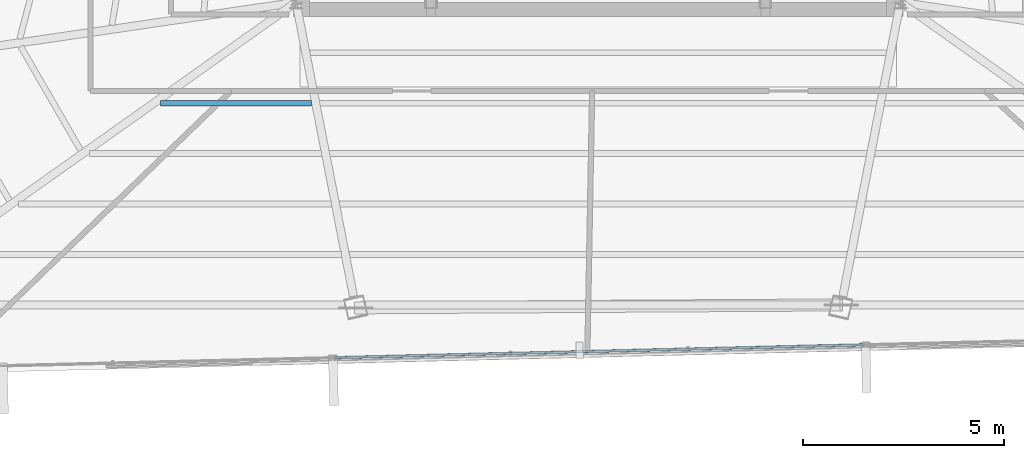
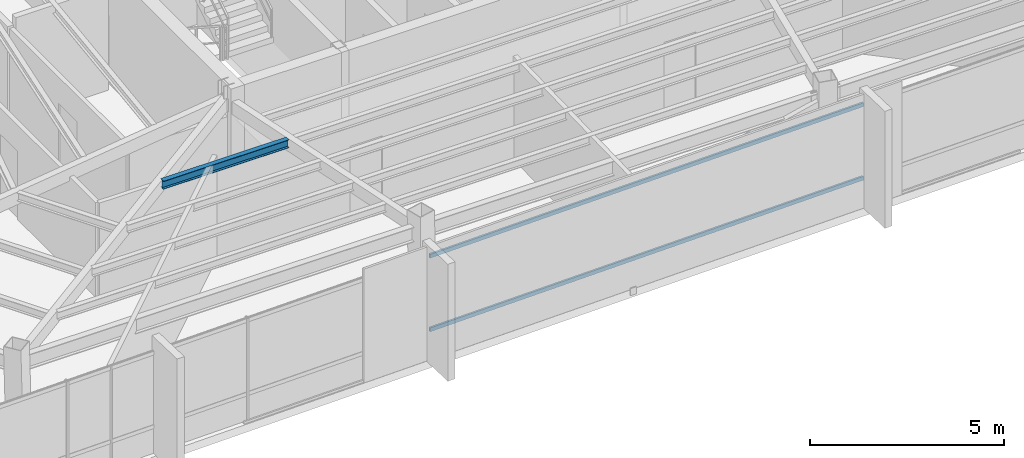
# One storey, part 12 of 44: 2 members, 1 beam, 1 element without a shape of its own.
"""IFC4 building model written with IfcOpenShell, lengths in metres."""

from ifc_helpers import new_model, si_unit, direction, frame, origin, origin_2d, place, context, subcontext, project, spatial, hollow_rectangle, i_section, extrude, source, transform, mapped, material, material_profile, profile_set, type_object, type_shapes, element, aggregate, save


model = new_model("IFC4")

# Units and contexts
model_context = context("Model", 3, precision=1e-05, world=origin(), true_north=direction((0.0, 1.0)))
body_context = subcontext(model_context, "Body", "Model", "MODEL_VIEW")
ifc_project = project(units=[si_unit("LENGTHUNIT", "METRE"), si_unit("AREAUNIT", "SQUARE_METRE"), si_unit("VOLUMEUNIT", "CUBIC_METRE"), si_unit("PLANEANGLEUNIT", "RADIAN"), si_unit("MASSUNIT", "GRAM", prefix="KILO")], contexts=[model_context])

# Site, building, storey
site_placement = place(None, origin())
site = spatial("IfcSite", under=ifc_project, at=site_placement, CompositionType="ELEMENT")
building_placement = place(site_placement, origin())
building = spatial("IfcBuilding", under=site, at=building_placement, Name="Caelisora Broadcast Tower", CompositionType="ELEMENT")
storey_placement = place(building_placement, frame((0.0, 0.0, 280.949951171875)))
storey = spatial("IfcBuildingStorey", under=building, at=storey_placement, Name="L74", CompositionType="ELEMENT", Elevation=280.949951171875)

# Beam
ifc_material_1 = material(Name="Steel Grade 350 (AS/NZS 3679.1)", Category="steel")
ifc_material_profile_1 = material_profile(ifc_material_1, i_section(OverallWidth=0.14599609375, OverallDepth=0.256103515625, WebThickness=0.00634765625, FlangeThickness=0.010986328125, at=origin_2d()), Name="Steel Grade 350 (AS/NZS 3679.1)")
ifc_profile_set_1 = profile_set([ifc_material_profile_1], Name="Steel Grade 350 (AS/NZS 3679.1)")
beam_type = type_object("IfcBeamType", Name="SB04", PredefinedType="JOIST", material=ifc_profile_set_1)
shared_shape_1 = source(origin(), body_context, "Body", "SweptSolid", [
    extrude(i_section(OverallWidth=0.14599609375, OverallDepth=0.256103515625, WebThickness=0.00634765625, FlangeThickness=0.010986328125, at=origin_2d()), origin(), (0.0, 0.0, 1.0), 3.751953125),
])
type_shapes(beam_type, [shared_shape_1])
beam_placement = place(storey_placement, frame((27.138671875, 14.896728515625, 3.1220703125), z_axis=(1.0, 0.0, 0.0), x_axis=(0.0, 1.0, 0.0)))
element("IfcBeam", 1, at=beam_placement, inside=storey, type_object=beam_type, Name="L74 beam SB04", PredefinedType="JOIST", context=body_context, shape_type="MappedRepresentation", body=[
    mapped(shared_shape_1, transform((0.0, 0.0, 0.0), scale=1.0)),
])

# Curtain wall, members
ifc_material_2 = material(Name="Unitised Aluminium Insulated Shadow-Box Spandrel Curtain Wall", Category="aluminium")
curtain_wall_type = type_object("IfcCurtainWallType", Name="CW-SP3", PredefinedType="NOTDEFINED", material=ifc_material_2)
curtain_wall_placement = place(storey_placement, origin())
curtain_wall = element("IfcCurtainWall", 2, at=curtain_wall_placement, inside=storey, type_object=curtain_wall_type, Name="L74 curtain wall CW-SP3", PredefinedType="NOTDEFINED")
ifc_material_3 = material(Name="Aluminium 6063-T6 Anodised Terracotta Bronze", Category="aluminium")
ifc_material_profile_2 = material_profile(ifc_material_3, hollow_rectangle(XDim=0.06005859375, YDim=0.1201171875, WallThickness=0.0029296875, at=origin_2d()), Name="Aluminium 6063-T6 Anodised Terracotta Bronze")
ifc_profile_set_2 = profile_set([ifc_material_profile_2], Name="Aluminium 6063-T6 Anodised Terracotta Bronze")
member_type = type_object("IfcMemberType", Name="CWT-03", PredefinedType="USERDEFINED", material=ifc_profile_set_2)
shared_shape_2 = source(origin(), body_context, "Body", "SweptSolid", [
    extrude(hollow_rectangle(XDim=0.06005859375, YDim=0.1201171875, WallThickness=0.0029296875, at=origin_2d()), origin(), (0.0, 0.0, 1.0), 13.115966796875),
])
type_shapes(member_type, [shared_shape_2])
member_1_placement = place(storey_placement, frame((44.582275390625, 8.899169921875, 0.85009765625), z_axis=(-0.999704469699, -0.024309941673, 0.0), x_axis=(0.024309941673, -0.999704469699, 0.0)))
member_1 = element("IfcMember", 3, at=member_1_placement, type_object=member_type, Name="L74-CW-B06 transom #1", ObjectType="TRANSOM", PredefinedType="USERDEFINED", context=body_context, shape_type="MappedRepresentation", body=[
    mapped(shared_shape_2, transform((0.0, 0.0, 0.0), scale=1.0)),
])
member_2_placement = place(storey_placement, frame((44.582275390625, 8.899169921875, 3.170166015625), z_axis=(-0.999704469699, -0.024309941673, 0.0), x_axis=(0.024309941673, -0.999704469699, 0.0)))
member_2 = element("IfcMember", 4, at=member_2_placement, type_object=member_type, Name="L74-CW-B06 transom #2", ObjectType="TRANSOM", PredefinedType="USERDEFINED", context=body_context, shape_type="MappedRepresentation", body=[
    mapped(shared_shape_2, transform((0.0, 0.0, 0.0), scale=1.0)),
])
aggregate(curtain_wall, [member_1, member_2])

save(model, "model.ifc")
